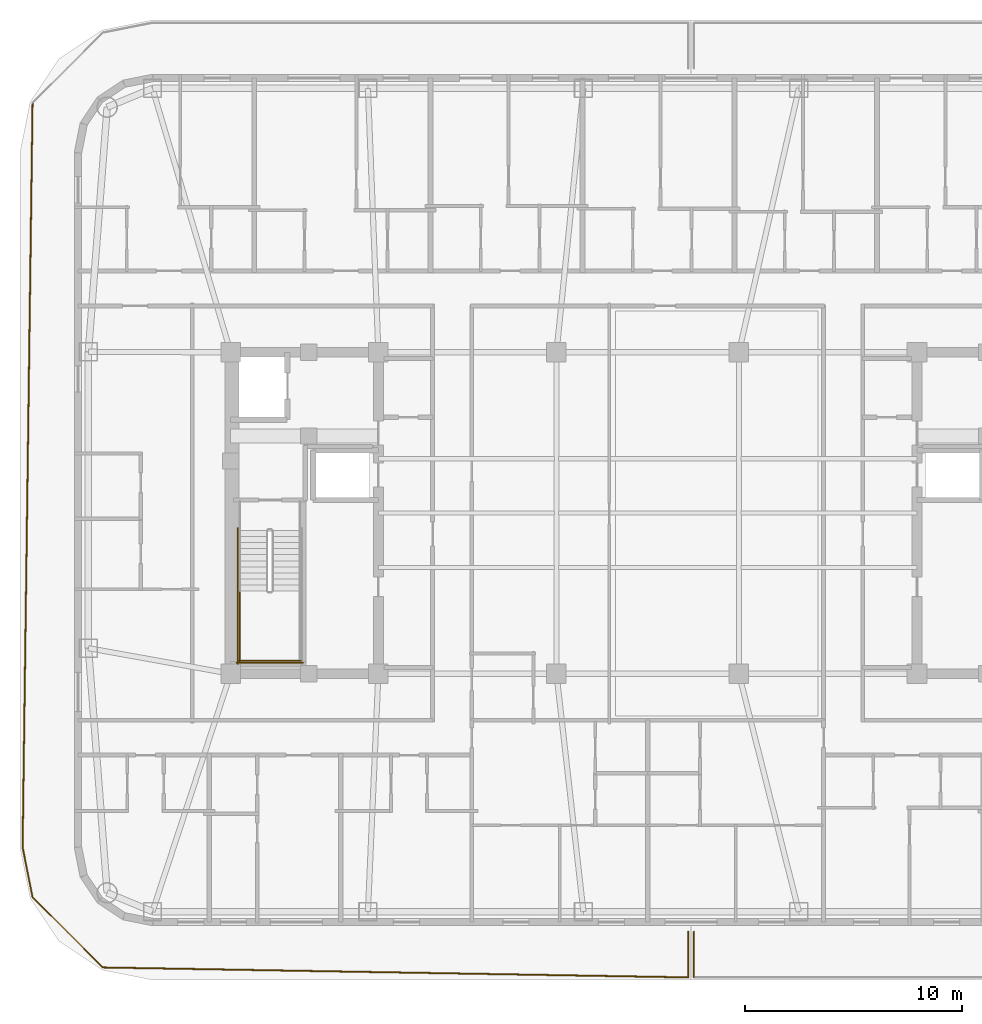
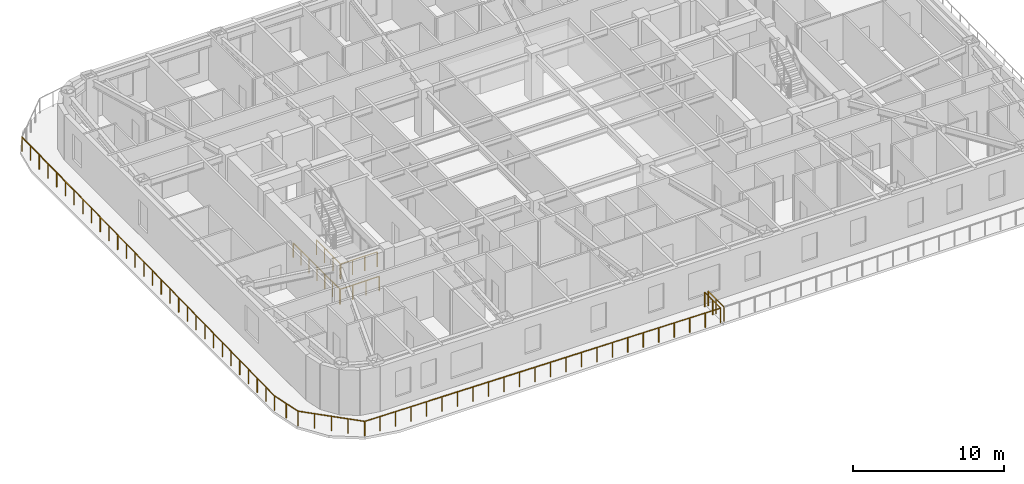
# One storey, part 11 of 15: 10 railings.
"""IFC4 building model written with IfcOpenShell, lengths in metres."""

from ifc_helpers import new_model, si_unit, direction, frame, origin, origin_2d, place, context, subcontext, project, spatial, circle, extrude, material, type_object, element, save


model = new_model("IFC4")

# Units and contexts
model_context = context("Model", 3, precision=1e-05, world=origin(), true_north=direction((0.0, 1.0)))
body_context = subcontext(model_context, "Body", "Model", "MODEL_VIEW")
ifc_project = project(units=[si_unit("LENGTHUNIT", "METRE"), si_unit("AREAUNIT", "SQUARE_METRE"), si_unit("VOLUMEUNIT", "CUBIC_METRE"), si_unit("PLANEANGLEUNIT", "RADIAN"), si_unit("MASSUNIT", "GRAM", prefix="KILO")], contexts=[model_context])

# Site, building, storey
site_placement = place(None, origin())
site = spatial("IfcSite", under=ifc_project, at=site_placement, CompositionType="ELEMENT")
building_placement = place(site_placement, origin())
building = spatial("IfcBuilding", under=site, at=building_placement, Name="Voryun Gate Residences", CompositionType="ELEMENT")
storey_placement = place(building_placement, frame((0.0, 0.0, 231.39990234375)))
storey = spatial("IfcBuildingStorey", under=building, at=storey_placement, Name="L57", CompositionType="ELEMENT", Elevation=231.39990234375)

# Railings
ifc_material_1 = material(Name="Anodised aluminium", Category="aluminium")
railing_type_1 = type_object("IfcRailingType", Name="RAIL_BALCONY_GUARD_1200", PredefinedType="GUARDRAIL", material=ifc_material_1)
railing_1_placement = place(storey_placement, frame((-25.08740234375, -20.922607421875, 0.0)))
element("IfcRailing", 1, at=railing_1_placement, inside=storey, type_object=railing_type_1, Name="Terrace guard RL-L57-P1L1-01", PredefinedType="GUARDRAIL", context=body_context, shape_type="SweptSolid", body=[
    extrude(circle(Radius=0.02392578125, at=origin_2d()), frame((0.0, 0.0, 1.17578125), z_axis=(-0.707106781187, 0.707106781187, 0.0), x_axis=(-0.707106781187, -0.707106781187, 0.0)), (0.0, 0.0, 1.0), 4.5751953125),
    extrude(circle(Radius=0.02099609375, at=origin_2d()), origin(), (0.0, 0.0, 1.0), 1.15185546875),
    extrude(circle(Radius=0.02099609375, at=origin_2d()), frame((-0.808837890625, 0.808837890625, 0.0)), (0.0, 0.0, 1.0), 1.15185546875),
    extrude(circle(Radius=0.02099609375, at=origin_2d()), frame((-1.61767578125, 1.61767578125, 0.0)), (0.0, 0.0, 1.0), 1.15185546875),
    extrude(circle(Radius=0.02099609375, at=origin_2d()), frame((-2.42626953125, 2.42626953125, 0.0)), (0.0, 0.0, 1.0), 1.15185546875),
    extrude(circle(Radius=0.02099609375, at=origin_2d()), frame((-3.235107421875, 3.235107421875, 0.0)), (0.0, 0.0, 1.0), 1.15185546875),
])
railing_2_placement = place(storey_placement, frame((-28.322509765625, -17.6875, 0.0)))
element("IfcRailing", 2, at=railing_2_placement, inside=storey, type_object=railing_type_1, Name="Terrace guard RL-L57-P1L1-02", PredefinedType="GUARDRAIL", context=body_context, shape_type="SweptSolid", body=[
    extrude(circle(Radius=0.02392578125, at=origin_2d()), frame((0.0, 0.0, 1.17578125), z_axis=(-0.195154766297, 0.980772459438, 0.0), x_axis=(-0.980772459438, -0.195154766297, 0.0)), (0.0, 0.0, 1.0), 2.344482421875),
    extrude(circle(Radius=0.02099609375, at=origin_2d()), origin(), (0.0, 0.0, 1.0), 1.15185546875),
    extrude(circle(Radius=0.02099609375, at=origin_2d()), frame((-0.228759765625, 1.149658203125, 0.0)), (0.0, 0.0, 1.0), 1.15185546875),
    extrude(circle(Radius=0.02099609375, at=origin_2d()), frame((-0.45751953125, 2.29931640625, 0.0)), (0.0, 0.0, 1.0), 1.15185546875),
])
railing_3_placement = place(storey_placement, frame((-28.780029296875, -15.38818359375, 0.0)))
element("IfcRailing", 3, at=railing_3_placement, inside=storey, type_object=railing_type_1, Name="Terrace guard RL-L57-P1L1-03", PredefinedType="GUARDRAIL", context=body_context, shape_type="SweptSolid", body=[
    extrude(circle(Radius=0.02392578125, at=origin_2d()), frame((0.0, 0.0, 1.17578125), z_axis=(0.013347054851, 0.999910924096, 0.0), x_axis=(-0.999910924096, 0.013347054851, 0.0)), (0.0, 0.0, 1.0), 34.27880859375),
    extrude(circle(Radius=0.02099609375, at=origin_2d()), origin(), (0.0, 0.0, 1.0), 1.15185546875),
    extrude(circle(Radius=0.02099609375, at=origin_2d()), frame((0.015869140625, 1.181884765625, 0.0)), (0.0, 0.0, 1.0), 1.15185546875),
    extrude(circle(Radius=0.02099609375, at=origin_2d()), frame((0.031494140625, 2.36376953125, 0.0)), (0.0, 0.0, 1.0), 1.15185546875),
    extrude(circle(Radius=0.02099609375, at=origin_2d()), frame((0.04736328125, 3.545654296875, 0.0)), (0.0, 0.0, 1.0), 1.15185546875),
    extrude(circle(Radius=0.02099609375, at=origin_2d()), frame((0.06298828125, 4.727783203125, 0.0)), (0.0, 0.0, 1.0), 1.15185546875),
    extrude(circle(Radius=0.02099609375, at=origin_2d()), frame((0.078857421875, 5.90966796875, 0.0)), (0.0, 0.0, 1.0), 1.15185546875),
    extrude(circle(Radius=0.02099609375, at=origin_2d()), frame((0.0947265625, 7.091552734375, 0.0)), (0.0, 0.0, 1.0), 1.15185546875),
    extrude(circle(Radius=0.02099609375, at=origin_2d()), frame((0.1103515625, 8.2734375, 0.0)), (0.0, 0.0, 1.0), 1.15185546875),
    extrude(circle(Radius=0.02099609375, at=origin_2d()), frame((0.126220703125, 9.455322265625, 0.0)), (0.0, 0.0, 1.0), 1.15185546875),
    extrude(circle(Radius=0.02099609375, at=origin_2d()), frame((0.14208984375, 10.63720703125, 0.0)), (0.0, 0.0, 1.0), 1.15185546875),
    extrude(circle(Radius=0.02099609375, at=origin_2d()), frame((0.15771484375, 11.819091796875, 0.0)), (0.0, 0.0, 1.0), 1.15185546875),
    extrude(circle(Radius=0.02099609375, at=origin_2d()), frame((0.173583984375, 13.001220703125, 0.0)), (0.0, 0.0, 1.0), 1.15185546875),
    extrude(circle(Radius=0.02099609375, at=origin_2d()), frame((0.189208984375, 14.18310546875, 0.0)), (0.0, 0.0, 1.0), 1.15185546875),
    extrude(circle(Radius=0.02099609375, at=origin_2d()), frame((0.205078125, 15.364990234375, 0.0)), (0.0, 0.0, 1.0), 1.15185546875),
    extrude(circle(Radius=0.02099609375, at=origin_2d()), frame((0.220947265625, 16.546875, 0.0)), (0.0, 0.0, 1.0), 1.15185546875),
    extrude(circle(Radius=0.02099609375, at=origin_2d()), frame((0.236572265625, 17.728759765625, 0.0)), (0.0, 0.0, 1.0), 1.15185546875),
    extrude(circle(Radius=0.02099609375, at=origin_2d()), frame((0.25244140625, 18.91064453125, 0.0)), (0.0, 0.0, 1.0), 1.15185546875),
    extrude(circle(Radius=0.02099609375, at=origin_2d()), frame((0.268310546875, 20.092529296875, 0.0)), (0.0, 0.0, 1.0), 1.15185546875),
    extrude(circle(Radius=0.02099609375, at=origin_2d()), frame((0.283935546875, 21.2744140625, 0.0)), (0.0, 0.0, 1.0), 1.15185546875),
    extrude(circle(Radius=0.02099609375, at=origin_2d()), frame((0.2998046875, 22.45654296875, 0.0)), (0.0, 0.0, 1.0), 1.15185546875),
    extrude(circle(Radius=0.02099609375, at=origin_2d()), frame((0.3154296875, 23.638427734375, 0.0)), (0.0, 0.0, 1.0), 1.15185546875),
    extrude(circle(Radius=0.02099609375, at=origin_2d()), frame((0.331298828125, 24.8203125, 0.0)), (0.0, 0.0, 1.0), 1.15185546875),
    extrude(circle(Radius=0.02099609375, at=origin_2d()), frame((0.34716796875, 26.002197265625, 0.0)), (0.0, 0.0, 1.0), 1.15185546875),
    extrude(circle(Radius=0.02099609375, at=origin_2d()), frame((0.36279296875, 27.18408203125, 0.0)), (0.0, 0.0, 1.0), 1.15185546875),
    extrude(circle(Radius=0.02099609375, at=origin_2d()), frame((0.378662109375, 28.365966796875, 0.0)), (0.0, 0.0, 1.0), 1.15185546875),
    extrude(circle(Radius=0.02099609375, at=origin_2d()), frame((0.39453125, 29.5478515625, 0.0)), (0.0, 0.0, 1.0), 1.15185546875),
    extrude(circle(Radius=0.02099609375, at=origin_2d()), frame((0.41015625, 30.72998046875, 0.0)), (0.0, 0.0, 1.0), 1.15185546875),
    extrude(circle(Radius=0.02099609375, at=origin_2d()), frame((0.426025390625, 31.911865234375, 0.0)), (0.0, 0.0, 1.0), 1.15185546875),
    extrude(circle(Radius=0.02099609375, at=origin_2d()), frame((0.441650390625, 33.09375, 0.0)), (0.0, 0.0, 1.0), 1.15185546875),
    extrude(circle(Radius=0.02099609375, at=origin_2d()), frame((0.45751953125, 34.275634765625, 0.0)), (0.0, 0.0, 1.0), 1.15185546875),
])
railing_4_placement = place(storey_placement, frame((1.8701171875, -19.280029296875, 0.0)))
element("IfcRailing", 4, at=railing_4_placement, inside=storey, type_object=railing_type_1, Name="Terrace guard RL-L57-P1L2-01", PredefinedType="GUARDRAIL", context=body_context, shape_type="SweptSolid", body=[
    extrude(circle(Radius=0.02392578125, at=origin_2d()), frame((0.0, 0.0, 1.17578125), z_axis=(0.0, -1.0, 0.0), x_axis=(1.0, 0.0, 0.0)), (0.0, 0.0, 1.0), 2.099853515625),
    extrude(circle(Radius=0.02099609375, at=origin_2d()), origin(), (0.0, 0.0, 1.0), 1.15185546875),
    extrude(circle(Radius=0.02099609375, at=origin_2d()), frame((0.0, -1.0498046875, 0.0)), (0.0, 0.0, 1.0), 1.15185546875),
    extrude(circle(Radius=0.02099609375, at=origin_2d()), frame((0.0, -2.099853515625, 0.0)), (0.0, 0.0, 1.0), 1.15185546875),
])
railing_5_placement = place(storey_placement, frame((1.8701171875, -21.3798828125, 0.0)))
element("IfcRailing", 5, at=railing_5_placement, inside=storey, type_object=railing_type_1, Name="Terrace guard RL-L57-P1L2-02", PredefinedType="GUARDRAIL", context=body_context, shape_type="SweptSolid", body=[
    extrude(circle(Radius=0.02392578125, at=origin_2d()), frame((0.0, 0.0, 1.17578125), z_axis=(-0.99985616251, 0.016960374145, 0.0), x_axis=(-0.016960374145, -0.99985616251, 0.0)), (0.0, 0.0, 1.0), 26.96142578125),
    extrude(circle(Radius=0.02099609375, at=origin_2d()), origin(), (0.0, 0.0, 1.0), 1.15185546875),
    extrude(circle(Radius=0.02099609375, at=origin_2d()), frame((-1.172119140625, 0.019775390625, 0.0)), (0.0, 0.0, 1.0), 1.15185546875),
    extrude(circle(Radius=0.02099609375, at=origin_2d()), frame((-2.34423828125, 0.039794921875, 0.0)), (0.0, 0.0, 1.0), 1.15185546875),
    extrude(circle(Radius=0.02099609375, at=origin_2d()), frame((-3.51611328125, 0.0595703125, 0.0)), (0.0, 0.0, 1.0), 1.15185546875),
    extrude(circle(Radius=0.02099609375, at=origin_2d()), frame((-4.688232421875, 0.07958984375, 0.0)), (0.0, 0.0, 1.0), 1.15185546875),
    extrude(circle(Radius=0.02099609375, at=origin_2d()), frame((-5.8603515625, 0.099365234375, 0.0)), (0.0, 0.0, 1.0), 1.15185546875),
    extrude(circle(Radius=0.02099609375, at=origin_2d()), frame((-7.032470703125, 0.119384765625, 0.0)), (0.0, 0.0, 1.0), 1.15185546875),
    extrude(circle(Radius=0.02099609375, at=origin_2d()), frame((-8.204345703125, 0.13916015625, 0.0)), (0.0, 0.0, 1.0), 1.15185546875),
    extrude(circle(Radius=0.02099609375, at=origin_2d()), frame((-9.37646484375, 0.158935546875, 0.0)), (0.0, 0.0, 1.0), 1.15185546875),
    extrude(circle(Radius=0.02099609375, at=origin_2d()), frame((-10.548583984375, 0.178955078125, 0.0)), (0.0, 0.0, 1.0), 1.15185546875),
    extrude(circle(Radius=0.02099609375, at=origin_2d()), frame((-11.720703125, 0.19873046875, 0.0)), (0.0, 0.0, 1.0), 1.15185546875),
    extrude(circle(Radius=0.02099609375, at=origin_2d()), frame((-12.892822265625, 0.21875, 0.0)), (0.0, 0.0, 1.0), 1.15185546875),
    extrude(circle(Radius=0.02099609375, at=origin_2d()), frame((-14.064697265625, 0.238525390625, 0.0)), (0.0, 0.0, 1.0), 1.15185546875),
    extrude(circle(Radius=0.02099609375, at=origin_2d()), frame((-15.23681640625, 0.258544921875, 0.0)), (0.0, 0.0, 1.0), 1.15185546875),
    extrude(circle(Radius=0.02099609375, at=origin_2d()), frame((-16.408935546875, 0.2783203125, 0.0)), (0.0, 0.0, 1.0), 1.15185546875),
    extrude(circle(Radius=0.02099609375, at=origin_2d()), frame((-17.5810546875, 0.29833984375, 0.0)), (0.0, 0.0, 1.0), 1.15185546875),
    extrude(circle(Radius=0.02099609375, at=origin_2d()), frame((-18.753173828125, 0.318115234375, 0.0)), (0.0, 0.0, 1.0), 1.15185546875),
    extrude(circle(Radius=0.02099609375, at=origin_2d()), frame((-19.925048828125, 0.337890625, 0.0)), (0.0, 0.0, 1.0), 1.15185546875),
    extrude(circle(Radius=0.02099609375, at=origin_2d()), frame((-21.09716796875, 0.35791015625, 0.0)), (0.0, 0.0, 1.0), 1.15185546875),
    extrude(circle(Radius=0.02099609375, at=origin_2d()), frame((-22.269287109375, 0.377685546875, 0.0)), (0.0, 0.0, 1.0), 1.15185546875),
    extrude(circle(Radius=0.02099609375, at=origin_2d()), frame((-23.44140625, 0.397705078125, 0.0)), (0.0, 0.0, 1.0), 1.15185546875),
    extrude(circle(Radius=0.02099609375, at=origin_2d()), frame((-24.61328125, 0.41748046875, 0.0)), (0.0, 0.0, 1.0), 1.15185546875),
    extrude(circle(Radius=0.02099609375, at=origin_2d()), frame((-25.785400390625, 0.4375, 0.0)), (0.0, 0.0, 1.0), 1.15185546875),
    extrude(circle(Radius=0.02099609375, at=origin_2d()), frame((-26.95751953125, 0.457275390625, 0.0)), (0.0, 0.0, 1.0), 1.15185546875),
])
railing_6_placement = place(storey_placement, frame((2.1298828125, -21.3798828125, 0.0)))
element("IfcRailing", 6, at=railing_6_placement, inside=storey, type_object=railing_type_1, Name="Terrace guard RL-L57-P2L1-07", PredefinedType="GUARDRAIL", context=body_context, shape_type="SweptSolid", body=[
    extrude(circle(Radius=0.02392578125, at=origin_2d()), frame((0.0, 0.0, 1.17578125), z_axis=(0.0, 1.0, 0.0), x_axis=(-1.0, 0.0, 0.0)), (0.0, 0.0, 1.0), 2.099853515625),
    extrude(circle(Radius=0.02099609375, at=origin_2d()), origin(), (0.0, 0.0, 1.0), 1.15185546875),
    extrude(circle(Radius=0.02099609375, at=origin_2d()), frame((0.0, 1.0498046875, 0.0)), (0.0, 0.0, 1.0), 1.15185546875),
    extrude(circle(Radius=0.02099609375, at=origin_2d()), frame((0.0, 2.099853515625, 0.0)), (0.0, 0.0, 1.0), 1.15185546875),
])
ifc_material_2 = material(Name="Painted steel", Category="steel")
railing_type_2 = type_object("IfcRailingType", Name="RAIL_STAIR_GUARD_1200", PredefinedType="GUARDRAIL", material=ifc_material_2)
railing_7_placement = place(storey_placement, frame((-18.77490234375, -3.60009765625, 1.9501953125)))
element("IfcRailing", 7, at=railing_7_placement, inside=storey, type_object=railing_type_2, Name="L57 ST-W1 stair guard 3", PredefinedType="GUARDRAIL", context=body_context, shape_type="SweptSolid", body=[
    extrude(circle(Radius=0.02392578125, at=origin_2d()), frame((0.0, 0.0, 1.17578125), z_axis=(0.0, -1.0, 0.0), x_axis=(1.0, 0.0, 0.0)), (0.0, 0.0, 1.0), 3.25),
    extrude(circle(Radius=0.02099609375, at=origin_2d()), origin(), (0.0, 0.0, 1.0), 1.15185546875),
    extrude(circle(Radius=0.02099609375, at=origin_2d()), frame((0.0, -1.083251953125, 0.0)), (0.0, 0.0, 1.0), 1.15185546875),
    extrude(circle(Radius=0.02099609375, at=origin_2d()), frame((0.0, -2.166748046875, 0.0)), (0.0, 0.0, 1.0), 1.15185546875),
    extrude(circle(Radius=0.02099609375, at=origin_2d()), frame((0.0, -3.25, 0.0)), (0.0, 0.0, 1.0), 1.15185546875),
])
railing_8_placement = place(storey_placement, frame((-18.824951171875, -6.800048828125, 1.9501953125)))
element("IfcRailing", 8, at=railing_8_placement, inside=storey, type_object=railing_type_2, Name="L57 ST-W1 stair guard 5", PredefinedType="GUARDRAIL", context=body_context, shape_type="SweptSolid", body=[
    extrude(circle(Radius=0.02392578125, at=origin_2d()), frame((0.0, 0.0, 1.17578125), z_axis=(1.0, 0.0, 0.0), x_axis=(0.0, 1.0, 0.0)), (0.0, 0.0, 1.0), 2.849853515625),
    extrude(circle(Radius=0.02099609375, at=origin_2d()), origin(), (0.0, 0.0, 1.0), 1.15185546875),
    extrude(circle(Radius=0.02099609375, at=origin_2d()), frame((0.949951171875, 0.0, 0.0)), (0.0, 0.0, 1.0), 1.15185546875),
    extrude(circle(Radius=0.02099609375, at=origin_2d()), frame((1.89990234375, 0.0, 0.0)), (0.0, 0.0, 1.0), 1.15185546875),
    extrude(circle(Radius=0.02099609375, at=origin_2d()), frame((2.849853515625, 0.0, 0.0)), (0.0, 0.0, 1.0), 1.15185546875),
])
railing_9_placement = place(storey_placement, frame((-18.875, -0.699951171875, 0.0)))
element("IfcRailing", 9, at=railing_9_placement, inside=storey, type_object=railing_type_2, Name="L57 ST-W1 stair guard 10", PredefinedType="GUARDRAIL", context=body_context, shape_type="SweptSolid", body=[
    extrude(circle(Radius=0.02392578125, at=origin_2d()), frame((0.0, 0.0, 1.17578125), z_axis=(0.0, -1.0, 0.0), x_axis=(1.0, 0.0, 0.0)), (0.0, 0.0, 1.0), 6.25),
    extrude(circle(Radius=0.02099609375, at=origin_2d()), origin(), (0.0, 0.0, 1.0), 1.15185546875),
    extrude(circle(Radius=0.02099609375, at=origin_2d()), frame((0.0, -1.041748046875, 0.0)), (0.0, 0.0, 1.0), 1.15185546875),
    extrude(circle(Radius=0.02099609375, at=origin_2d()), frame((0.0, -2.083251953125, 0.0)), (0.0, 0.0, 1.0), 1.15185546875),
    extrude(circle(Radius=0.02099609375, at=origin_2d()), frame((0.0, -3.125, 0.0)), (0.0, 0.0, 1.0), 1.15185546875),
    extrude(circle(Radius=0.02099609375, at=origin_2d()), frame((0.0, -4.166748046875, 0.0)), (0.0, 0.0, 1.0), 1.15185546875),
    extrude(circle(Radius=0.02099609375, at=origin_2d()), frame((0.0, -5.208251953125, 0.0)), (0.0, 0.0, 1.0), 1.15185546875),
    extrude(circle(Radius=0.02099609375, at=origin_2d()), frame((0.0, -6.25, 0.0)), (0.0, 0.0, 1.0), 1.15185546875),
])
railing_10_placement = place(storey_placement, frame((-18.925048828125, -6.89990234375, 0.0)))
element("IfcRailing", 10, at=railing_10_placement, inside=storey, type_object=railing_type_2, Name="L57 ST-W1 stair guard 12", PredefinedType="GUARDRAIL", context=body_context, shape_type="SweptSolid", body=[
    extrude(circle(Radius=0.02392578125, at=origin_2d()), frame((0.0, 0.0, 1.17578125), z_axis=(1.0, 0.0, 0.0), x_axis=(0.0, 1.0, 0.0)), (0.0, 0.0, 1.0), 3.050048828125),
    extrude(circle(Radius=0.02099609375, at=origin_2d()), origin(), (0.0, 0.0, 1.0), 1.15185546875),
    extrude(circle(Radius=0.02099609375, at=origin_2d()), frame((1.0166015625, 0.0, 0.0)), (0.0, 0.0, 1.0), 1.15185546875),
    extrude(circle(Radius=0.02099609375, at=origin_2d()), frame((2.033447265625, 0.0, 0.0)), (0.0, 0.0, 1.0), 1.15185546875),
    extrude(circle(Radius=0.02099609375, at=origin_2d()), frame((3.050048828125, 0.0, 0.0)), (0.0, 0.0, 1.0), 1.15185546875),
])

save(model, "model.ifc")
